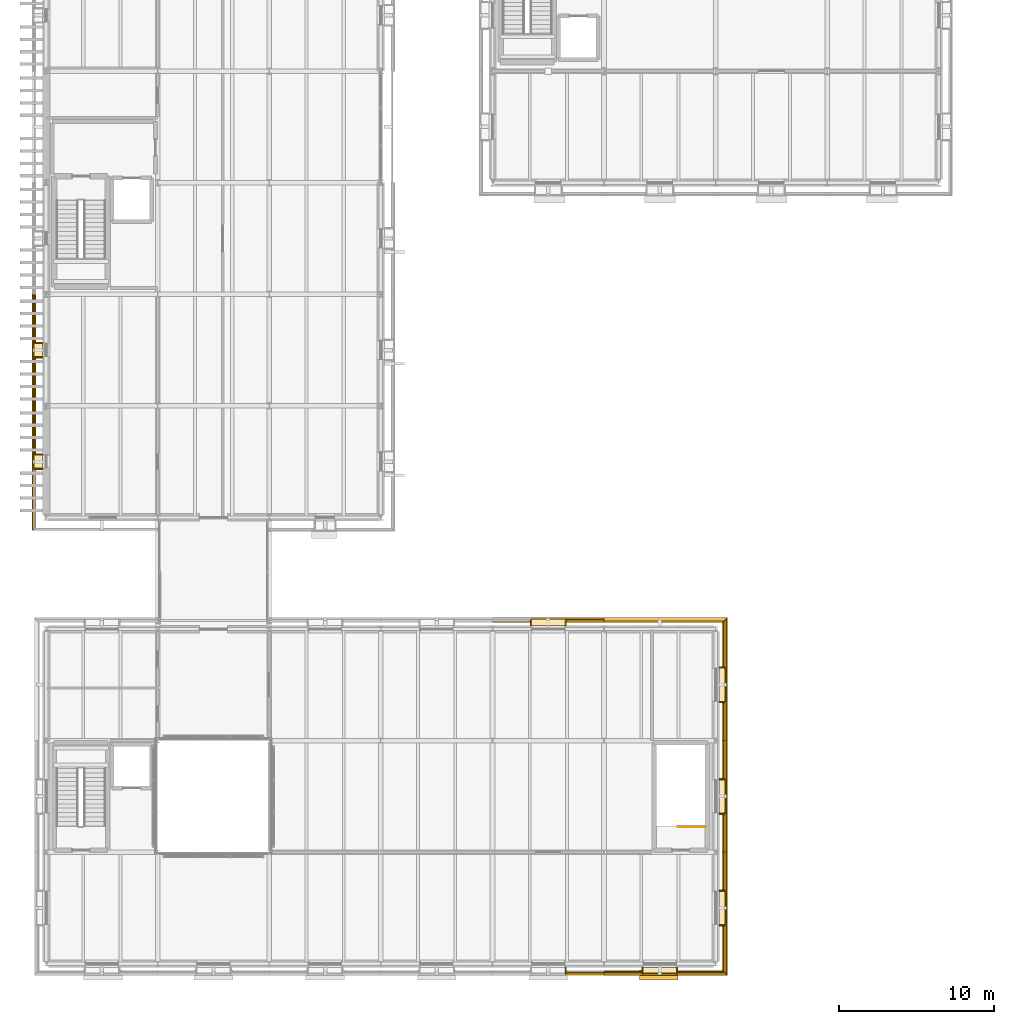
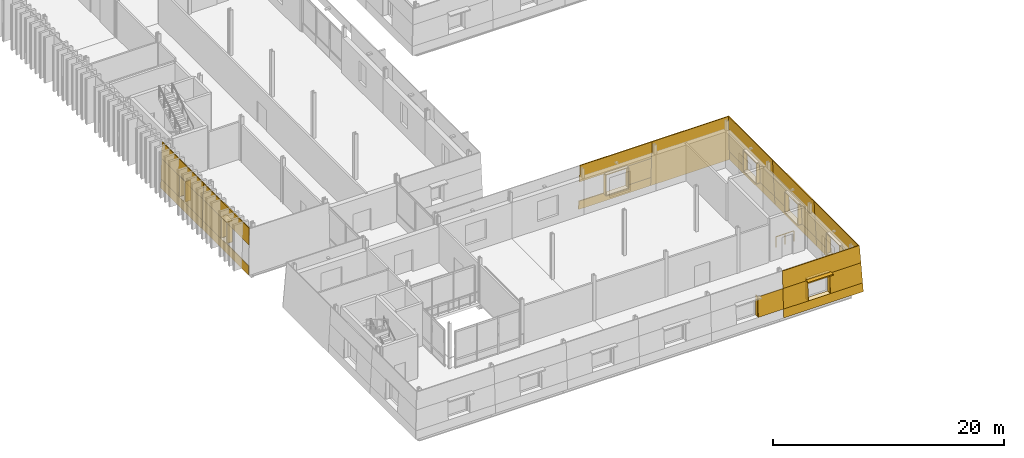
# One storey, part 101 of 121: 57 coverings, 1 railing, 1 shading device.
"""IFC4 building model written with IfcOpenShell, lengths in metres."""

from ifc_helpers import new_model, si_unit, direction, frame, origin, origin_2d, place, context, subcontext, project, spatial, polyline, rectangle, circle, outline, extrude, material, layer, layer_set, type_object, element, save


model = new_model("IFC4")

# Units and contexts
model_context = context("Model", 3, precision=1e-05, world=origin(), true_north=direction((0.0, 1.0)))
body_context = subcontext(model_context, "Body", "Model", "MODEL_VIEW")
ifc_project = project(units=[si_unit("LENGTHUNIT", "METRE"), si_unit("AREAUNIT", "SQUARE_METRE"), si_unit("VOLUMEUNIT", "CUBIC_METRE"), si_unit("PLANEANGLEUNIT", "RADIAN"), si_unit("MASSUNIT", "GRAM", prefix="KILO")], contexts=[model_context])

# Site, building, storey
site_placement = place(None, origin())
site = spatial("IfcSite", under=ifc_project, at=site_placement, CompositionType="ELEMENT")
building_placement = place(site_placement, origin())
building = spatial("IfcBuilding", under=site, at=building_placement, Name="Narikvali Park Central Library", CompositionType="ELEMENT")
storey_placement = place(building_placement, frame((0.0, 0.0, 5.39990234375)))
storey = spatial("IfcBuildingStorey", under=building, at=storey_placement, Name="L01", CompositionType="ELEMENT", Elevation=5.39990234375)

# Coverings
ifc_material_1 = material(Name="White Honed Limestone Cladding", Category="masonry")
ifc_layer_1 = layer(ifc_material_1, 0.0849609375, Name="White Honed Limestone Cladding")
ifc_layer_set_1 = layer_set([ifc_layer_1], Name="White Honed Limestone Cladding")
covering_type_1 = type_object("IfcCoveringType", Name="Battered White Limestone Facade Cladding Panel", PredefinedType="CLADDING", material=ifc_layer_set_1)
covering_1_placement = place(storey_placement, frame((33.489990234375, -0.711669921875, 0.900146484375), z_axis=(0.0, -0.998646227972, 0.052016452753), x_axis=(1.0, 0.0, 0.0)))
element("IfcCovering", 1, at=covering_1_placement, inside=storey, type_object=covering_type_1, Name="V2 L01 S Battered Limestone Jamb Pier R B05", PredefinedType="CLADDING", context=body_context, shape_type="SweptSolid", body=[
    extrude(outline(polyline([(0.0, 0.0), (2.510009765625, 0.0), (2.510009765625, 2.102700092192815), (0.0, 2.102700092192815), (0.0, 0.0)])), origin(), (0.0, 0.0, -1.0), 0.0849609375),
])
covering_2_placement = place(storey_placement, frame((36.0, -0.758544921875, 0.0), z_axis=(0.0, -0.998646856064, 0.05200439283), x_axis=(1.0, 0.0, 0.0)))
element("IfcCovering", 2, at=covering_2_placement, inside=storey, type_object=covering_type_1, Name="V2 L01 S Battered Limestone Spandrel B06", PredefinedType="CLADDING", context=body_context, shape_type="SweptSolid", body=[
    extrude(outline(polyline([(0.0, 0.0), (7.95849609375, 0.0), (7.91162109375, 0.9013661625320046), (0.0, 0.9013661625320046), (0.0, 0.0)])), origin(), (0.0, 0.0, -1.0), 0.0849609375),
])
covering_3_placement = place(storey_placement, frame((36.0, -0.602294921875, 3.0), z_axis=(0.0, -0.998639445418, 0.052146505695), x_axis=(1.0, 0.0, 0.0)))
element("IfcCovering", 3, at=covering_3_placement, inside=storey, type_object=covering_type_1, Name="V2 L01 S Battered Limestone Lintel B06", PredefinedType="CLADDING", context=body_context, shape_type="SweptSolid", body=[
    extrude(outline(polyline([(0.0, 0.0), (7.80224609375, 0.0), (7.70849609375, 1.8025012294325957), (0.0, 1.8025012294325957), (0.0, 0.0)])), origin(), (0.0, 0.0, -1.0), 0.0849609375),
])
covering_4_placement = place(storey_placement, frame((36.0, -0.711669921875, 0.900146484375), z_axis=(0.0, -0.998646227972, 0.052016452753), x_axis=(1.0, 0.0, 0.0)))
element("IfcCovering", 4, at=covering_4_placement, inside=storey, type_object=covering_type_1, Name="V2 L01 S Battered Limestone Jamb Pier L B06", PredefinedType="CLADDING", context=body_context, shape_type="SweptSolid", body=[
    extrude(outline(polyline([(0.0, 0.0), (2.510009765625, 0.0), (2.510009765625, 2.102700092192815), (0.0, 2.102700092192815), (0.0, 0.0)])), origin(), (0.0, 0.0, -1.0), 0.0849609375),
])
covering_5_placement = place(storey_placement, frame((40.68994140625, -0.711669921875, 0.900146484375), z_axis=(0.0, -0.998646227972, 0.052016452753), x_axis=(1.0, 0.0, 0.0)))
element("IfcCovering", 5, at=covering_5_placement, inside=storey, type_object=covering_type_1, Name="V2 L01 S Battered Limestone Jamb Pier R B06", PredefinedType="CLADDING", context=body_context, shape_type="SweptSolid", body=[
    extrude(outline(polyline([(0.0, 0.0), (3.2216796875, 0.0), (3.1123046875, 2.1027000921928147), (0.0, 2.1027000921928147), (0.0, 0.0)])), origin(), (0.0, 0.0, -1.0), 0.0849609375),
])
covering_6_placement = place(storey_placement, frame((43.95849609375, -0.673583984375, 0.0), z_axis=(0.998646856064, 0.0, 0.05200439283), x_axis=(0.0, 1.0, 0.0)))
element("IfcCovering", 6, at=covering_6_placement, inside=storey, type_object=covering_type_1, Name="V2 L01 E Battered Limestone Spandrel B01", PredefinedType="CLADDING", context=body_context, shape_type="SweptSolid", body=[
    extrude(outline(polyline([(0.0, 0.0), (7.87353515625, 0.0), (7.87353515625, 0.9013661625320045), (0.046875, 0.9013661625320045), (0.0, 0.0)])), origin(), (0.0, 0.0, -1.0), 0.0849609375),
])
covering_7_placement = place(storey_placement, frame((43.80224609375, -0.51708984375, 3.0), z_axis=(0.99864648973, 0.0, 0.052011427107), x_axis=(0.0, 1.0, 0.0)))
element("IfcCovering", 7, at=covering_7_placement, inside=storey, type_object=covering_type_1, Name="V2 L01 E Battered Limestone Lintel B01", PredefinedType="CLADDING", context=body_context, shape_type="SweptSolid", body=[
    extrude(outline(polyline([(0.0, 0.0), (7.717041015625, 0.0), (7.717041015625, 1.802488514841131), (0.09375, 1.802488514841131), (0.0, 0.0)])), origin(), (0.0, 0.0, -1.0), 0.0849609375),
])
covering_8_placement = place(storey_placement, frame((43.91162109375, -0.626708984375, 0.900146484375), z_axis=(0.998646227972, 0.0, 0.052016452753), x_axis=(0.0, 1.0, 0.0)))
element("IfcCovering", 8, at=covering_8_placement, inside=storey, type_object=covering_type_1, Name="V2 L01 E Battered Limestone Jamb Pier L B01", PredefinedType="CLADDING", context=body_context, shape_type="SweptSolid", body=[
    extrude(outline(polyline([(0.0, 0.0), (3.13671875, 0.0), (3.13671875, 2.102700092192815), (0.109619140625, 2.102700092192815), (0.0, 0.0)])), origin(), (0.0, 0.0, -1.0), 0.0849609375),
])
covering_9_placement = place(storey_placement, frame((43.91162109375, 4.68994140625, 0.900146484375), z_axis=(0.998646227972, 0.0, 0.052016452753), x_axis=(0.0, 1.0, 0.0)))
element("IfcCovering", 9, at=covering_9_placement, inside=storey, type_object=covering_type_1, Name="V2 L01 E Battered Limestone Jamb Pier R B01", PredefinedType="CLADDING", context=body_context, shape_type="SweptSolid", body=[
    extrude(outline(polyline([(0.0, 0.0), (2.510009765625, 0.0), (2.510009765625, 2.102700092192815), (0.0, 2.102700092192815), (0.0, 0.0)])), origin(), (0.0, 0.0, -1.0), 0.0849609375),
])
covering_10_placement = place(storey_placement, frame((43.95849609375, 7.199951171875, 0.0), z_axis=(0.998646856064, 0.0, 0.05200439283), x_axis=(0.0, 1.0, 0.0)))
element("IfcCovering", 10, at=covering_10_placement, inside=storey, type_object=covering_type_1, Name="V2 L01 E Battered Limestone Spandrel B02", PredefinedType="CLADDING", context=body_context, shape_type="SweptSolid", body=[
    extrude(outline(polyline([(0.0, 0.0), (7.199951171875, 0.0), (7.199951171875, 0.9013661625320046), (0.0, 0.9013661625320046), (0.0, 0.0)])), origin(), (0.0, 0.0, -1.0), 0.0849609375),
])
covering_11_placement = place(storey_placement, frame((43.80224609375, 7.199951171875, 3.0), z_axis=(0.99864648973, 0.0, 0.052011427107), x_axis=(0.0, 1.0, 0.0)))
element("IfcCovering", 11, at=covering_11_placement, inside=storey, type_object=covering_type_1, Name="V2 L01 E Battered Limestone Lintel B02", PredefinedType="CLADDING", context=body_context, shape_type="SweptSolid", body=[
    extrude(outline(polyline([(0.0, 0.0), (7.199951171875, 0.0), (7.199951171875, 1.802488514841131), (0.0, 1.802488514841131), (0.0, 0.0)])), origin(), (0.0, 0.0, -1.0), 0.0849609375),
])
for number, where, z_axis, x_axis, name in (
    (12, (43.91162109375, 7.199951171875, 0.900146484375), (0.998646227972, 0.0, 0.052016452753), (0.0, 1.0, 0.0), "V2 L01 E Battered Limestone Jamb Pier L B02"),
    (13, (43.91162109375, 11.889892578125, 0.900146484375), (0.998646227972, 0.0, 0.052016452753), (0.0, 1.0, 0.0), "V2 L01 E Battered Limestone Jamb Pier R B02"),
):
    element("IfcCovering", number, at=place(storey_placement, frame(where, z_axis=z_axis, x_axis=x_axis)), inside=storey, type_object=covering_type_1, Name=name, PredefinedType="CLADDING", context=body_context, shape_type="SweptSolid", body=[
        extrude(outline(polyline([(0.0, 0.0), (2.510009765625, 0.0), (2.510009765625, 2.102700092192815), (0.0, 2.102700092192815), (0.0, 0.0)])), origin(), (0.0, 0.0, -1.0), 0.0849609375),
    ])
covering_12_placement = place(storey_placement, frame((43.95849609375, 14.39990234375, 0.0), z_axis=(0.998646856064, 0.0, 0.05200439283), x_axis=(0.0, 1.0, 0.0)))
element("IfcCovering", 14, at=covering_12_placement, inside=storey, type_object=covering_type_1, Name="V2 L01 E Battered Limestone Spandrel B03", PredefinedType="CLADDING", context=body_context, shape_type="SweptSolid", body=[
    extrude(outline(polyline([(0.0, 0.0), (7.873779296875, 0.0), (7.826904296875, 0.9013661625320047), (0.0, 0.9013661625320047), (0.0, 0.0)])), origin(), (0.0, 0.0, -1.0), 0.0849609375),
])
covering_13_placement = place(storey_placement, frame((43.80224609375, 14.39990234375, 3.0), z_axis=(0.99864648973, 0.0, 0.052011427107), x_axis=(0.0, 1.0, 0.0)))
element("IfcCovering", 15, at=covering_13_placement, inside=storey, type_object=covering_type_1, Name="V2 L01 E Battered Limestone Lintel B03", PredefinedType="CLADDING", context=body_context, shape_type="SweptSolid", body=[
    extrude(outline(polyline([(0.0, 0.0), (7.71728515625, 0.0), (7.62353515625, 1.8024885148411312), (0.0, 1.8024885148411312), (0.0, 0.0)])), origin(), (0.0, 0.0, -1.0), 0.0849609375),
])
covering_14_placement = place(storey_placement, frame((43.91162109375, 14.39990234375, 0.900146484375), z_axis=(0.998646227972, 0.0, 0.052016452753), x_axis=(0.0, 1.0, 0.0)))
element("IfcCovering", 16, at=covering_14_placement, inside=storey, type_object=covering_type_1, Name="V2 L01 E Battered Limestone Jamb Pier L B03", PredefinedType="CLADDING", context=body_context, shape_type="SweptSolid", body=[
    extrude(outline(polyline([(0.0, 0.0), (2.510009765625, 0.0), (2.510009765625, 2.102700092192815), (0.0, 2.102700092192815), (0.0, 0.0)])), origin(), (0.0, 0.0, -1.0), 0.0849609375),
])
covering_15_placement = place(storey_placement, frame((43.91162109375, 19.090087890625, 0.900146484375), z_axis=(0.998646227972, 0.0, 0.052016452753), x_axis=(0.0, 1.0, 0.0)))
element("IfcCovering", 17, at=covering_15_placement, inside=storey, type_object=covering_type_1, Name="V2 L01 E Battered Limestone Jamb Pier R B03", PredefinedType="CLADDING", context=body_context, shape_type="SweptSolid", body=[
    extrude(outline(polyline([(0.0, 0.0), (3.13671875, 0.0), (3.027099609375, 2.102700092192815), (0.0, 2.102700092192815), (0.0, 0.0)])), origin(), (0.0, 0.0, -1.0), 0.0849609375),
])
covering_16_placement = place(storey_placement, frame((43.95849609375, 22.358642578125, 0.0), z_axis=(0.0, 0.998643804351, 0.052062962182), x_axis=(-1.0, 0.0, 0.0)))
element("IfcCovering", 18, at=covering_16_placement, inside=storey, type_object=covering_type_1, Name="V2 L01 N Battered Limestone Panel B01", PredefinedType="CLADDING", context=body_context, shape_type="SweptSolid", body=[
    extrude(outline(polyline([(0.0, 0.0), (7.95849609375, 0.0), (7.95849609375, 4.80656747401941), (0.25, 4.80656747401941), (0.0, 0.0)])), origin(), (0.0, 0.0, -1.0), 0.0849609375),
])
covering_17_placement = place(storey_placement, frame((36.0, 22.358642578125, 0.0), z_axis=(0.0, 0.998646856064, 0.05200439283), x_axis=(-1.0, 0.0, 0.0)))
element("IfcCovering", 19, at=covering_17_placement, inside=storey, type_object=covering_type_1, Name="V2 L01 N Battered Limestone Spandrel B02", PredefinedType="CLADDING", context=body_context, shape_type="SweptSolid", body=[
    extrude(outline(polyline([(0.0, 0.0), (7.199951171875, 0.0), (7.199951171875, 0.9013661625320046), (0.0, 0.9013661625320046), (0.0, 0.0)])), origin(), (0.0, 0.0, -1.0), 0.0849609375),
])
covering_18_placement = place(storey_placement, frame((36.0, 22.2021484375, 3.0), z_axis=(0.0, 0.99864648973, 0.052011427107), x_axis=(-1.0, 0.0, 0.0)))
element("IfcCovering", 20, at=covering_18_placement, inside=storey, type_object=covering_type_1, Name="V2 L01 N Battered Limestone Lintel B02", PredefinedType="CLADDING", context=body_context, shape_type="SweptSolid", body=[
    extrude(outline(polyline([(0.0, 0.0), (7.199951171875, 0.0), (7.199951171875, 1.802488514841131), (0.0, 1.802488514841131), (0.0, 0.0)])), origin(), (0.0, 0.0, -1.0), 0.0849609375),
])
covering_19_placement = place(storey_placement, frame((36.0, 22.311767578125, 0.900146484375), z_axis=(0.0, 0.998640189937, 0.052132245702), x_axis=(-1.0, 0.0, 0.0)))
element("IfcCovering", 21, at=covering_19_placement, inside=storey, type_object=covering_type_1, Name="V2 L01 N Battered Limestone Jamb Pier L B02", PredefinedType="CLADDING", context=body_context, shape_type="SweptSolid", body=[
    extrude(outline(polyline([(0.0, 0.0), (2.510009765625, 0.0), (2.510009765625, 2.1027128056570246), (0.0, 2.1027128056570246), (0.0, 0.0)])), origin(), (0.0, 0.0, -1.0), 0.0849609375),
])
covering_20_placement = place(storey_placement, frame((-0.88671875, 43.199951171875, 0.0), z_axis=(-0.999600837605, 0.0, 0.028251822234), x_axis=(0.0, -1.0, 0.0)))
element("IfcCovering", 22, at=covering_20_placement, inside=storey, type_object=covering_type_1, Name="V5 L01 W Battered Limestone Spandrel B10", PredefinedType="CLADDING", context=body_context, shape_type="SweptSolid", body=[
    extrude(outline(polyline([(0.0, 0.0), (7.199951171875, 0.0), (7.199951171875, 0.9505747461924048), (0.0, 0.9505747461924048), (0.0, 0.0)])), origin(), (0.0, 0.0, -1.0), 0.0849609375),
])
covering_21_placement = place(storey_placement, frame((-0.798828125, 43.199951171875, 3.10009765625), z_axis=(-0.99959594144, 0.0, 0.02842452914), x_axis=(0.0, -1.0, 0.0)))
element("IfcCovering", 23, at=covering_21_placement, inside=storey, type_object=covering_type_1, Name="V5 L01 W Battered Limestone Lintel B10", PredefinedType="CLADDING", context=body_context, shape_type="SweptSolid", body=[
    extrude(outline(polyline([(0.0, 0.0), (7.199951171875, 0.0), (7.199951171875, 1.7006383293495888), (0.0, 1.7006383293495888), (0.0, 0.0)])), origin(), (0.0, 0.0, -1.0), 0.0849609375),
])
for number, where, z_axis, x_axis, name in (
    (24, (-0.85986328125, 43.199951171875, 0.9501953125), (-0.99959725493, 0.0, 0.028378300447), (0.0, -1.0, 0.0), "V5 L01 W Battered Limestone Jamb Pier L B10"),
    (25, (-0.85986328125, 39.159912109375, 0.9501953125), (-0.99959725493, 0.0, 0.028378300447), (0.0, -1.0, 0.0), "V5 L01 W Battered Limestone Jamb Pier R B10"),
):
    element("IfcCovering", number, at=place(storey_placement, frame(where, z_axis=z_axis, x_axis=x_axis)), inside=storey, type_object=covering_type_1, Name=name, PredefinedType="CLADDING", context=body_context, shape_type="SweptSolid", body=[
        extrude(outline(polyline([(0.0, 0.0), (3.159912109375, 0.0), (3.159912109375, 2.150768555182125), (0.0, 2.150768555182125), (0.0, 0.0)])), origin(), (0.0, 0.0, -1.0), 0.0849609375),
    ])
covering_22_placement = place(storey_placement, frame((-0.88671875, 36.0, 0.0), z_axis=(-0.999600837605, 0.0, 0.028251822234), x_axis=(0.0, -1.0, 0.0)))
element("IfcCovering", 26, at=covering_22_placement, inside=storey, type_object=covering_type_1, Name="V5 L01 W Battered Limestone Spandrel B11", PredefinedType="CLADDING", context=body_context, shape_type="SweptSolid", body=[
    extrude(outline(polyline([(0.0, 0.0), (8.001708984375, 0.0), (7.974853515625, 0.9505747461924048), (0.0, 0.9505747461924048), (0.0, 0.0)])), origin(), (0.0, 0.0, -1.0), 0.0849609375),
])
covering_23_placement = place(storey_placement, frame((-0.798828125, 36.0, 3.10009765625), z_axis=(-0.99959594144, 0.0, 0.02842452914), x_axis=(0.0, -1.0, 0.0)))
element("IfcCovering", 27, at=covering_23_placement, inside=storey, type_object=covering_type_1, Name="V5 L01 W Battered Limestone Lintel B11", PredefinedType="CLADDING", context=body_context, shape_type="SweptSolid", body=[
    extrude(outline(polyline([(0.0, 0.0), (7.913818359375, 0.0), (7.865478515625, 1.7006383293495886), (0.0, 1.7006383293495886), (0.0, 0.0)])), origin(), (0.0, 0.0, -1.0), 0.0849609375),
])
covering_24_placement = place(storey_placement, frame((-0.85986328125, 36.0, 0.9501953125), z_axis=(-0.99959725493, 0.0, 0.028378300447), x_axis=(0.0, -1.0, 0.0)))
element("IfcCovering", 28, at=covering_24_placement, inside=storey, type_object=covering_type_1, Name="V5 L01 W Battered Limestone Jamb Pier L B11", PredefinedType="CLADDING", context=body_context, shape_type="SweptSolid", body=[
    extrude(outline(polyline([(0.0, 0.0), (3.159912109375, 0.0), (3.159912109375, 2.150768555182125), (0.0, 2.150768555182125), (0.0, 0.0)])), origin(), (0.0, 0.0, -1.0), 0.0849609375),
])

# Shading device
ifc_material_2 = material(Name="Anodised Bronze Aluminium", Category="aluminium")
ifc_layer_2 = layer(ifc_material_2, 0.1201171875, Name="Anodised Bronze Aluminium")
ifc_layer_set_2 = layer_set([ifc_layer_2], Name="Anodised Bronze Aluminium")
shading_device_type = type_object("IfcShadingDeviceType", Name="Bronze Classical Cornice Sun Brise-Soleil 650", PredefinedType="SHUTTER", material=ifc_layer_set_2)
shading_device_placement = place(storey_placement, frame((39.528076171875, -0.719970703125, 3.0), z_axis=(0.0, 0.0, 1.0), x_axis=(1.0, 0.0, 0.0)))
element("IfcShadingDevice", 29, at=shading_device_placement, inside=storey, type_object=shading_device_type, Name="V2 L01 Classical Bronze Brise-Soleil 06", PredefinedType="SHUTTER", context=body_context, shape_type="SweptSolid", body=[
    extrude(rectangle(XDim=2.5, YDim=0.64990234375, at=origin_2d()), origin(), (0.0, 0.0, 1.0), 0.1201171875),
])

# Coverings
ifc_layer_3 = layer(ifc_material_1, 0.080078125, Name="White Honed Limestone Cladding")
ifc_layer_set_3 = layer_set([ifc_layer_3], Name="White Honed Limestone Cladding")
covering_type_2 = type_object("IfcCoveringType", Name="Deep Carved White Limestone Window Reveal", PredefinedType="CLADDING", material=ifc_layer_set_3)
covering_25_placement = place(storey_placement, frame((0.0, 0.0, 0.900146484375)))
element("IfcCovering", 30, at=covering_25_placement, inside=storey, type_object=covering_type_2, Name="Deep Stone Reveal Jamb R V2-RVL-L01-S-B05", PredefinedType="CLADDING", context=body_context, shape_type="SweptSolid", body=[
    extrude(outline(polyline([(33.489990234375, -0.22509765625), (33.570068359375, -0.22509765625), (33.570068359375, -0.602294921875), (33.489990234375, -0.602294921875), (33.489990234375, -0.22509765625)])), origin(), (0.0, 0.0, 1.0), 2.099853515625),
])
covering_26_placement = place(storey_placement, frame((0.0, 0.0, 3.0)))
element("IfcCovering", 31, at=covering_26_placement, inside=storey, type_object=covering_type_2, Name="Deep Stone Reveal Head V2-RVL-L01-S-B06", PredefinedType="CLADDING", context=body_context, shape_type="SweptSolid", body=[
    extrude(outline(polyline([(38.469970703125, -0.22509765625), (40.72998046875, -0.22509765625), (40.72998046875, -0.602294921875), (38.469970703125, -0.602294921875), (38.469970703125, -0.22509765625)])), origin(), (0.0, 0.0, 1.0), 0.080078125),
])
covering_27_placement = place(storey_placement, frame((0.0, 0.0, 0.820068359375)))
element("IfcCovering", 32, at=covering_27_placement, inside=storey, type_object=covering_type_2, Name="Deep Stone Reveal Sill V2-RVL-L01-S-B06", PredefinedType="CLADDING", context=body_context, shape_type="SweptSolid", body=[
    extrude(outline(polyline([(38.469970703125, -0.22509765625), (40.72998046875, -0.22509765625), (40.72998046875, -0.711669921875), (38.469970703125, -0.711669921875), (38.469970703125, -0.22509765625)])), origin(), (0.0, 0.0, 1.0), 0.080078125),
])
covering_28_placement = place(storey_placement, frame((0.0, 0.0, 0.900146484375)))
element("IfcCovering", 33, at=covering_28_placement, inside=storey, type_object=covering_type_2, Name="Deep Stone Reveal Jamb L V2-RVL-L01-S-B06", PredefinedType="CLADDING", context=body_context, shape_type="SweptSolid", body=[
    extrude(outline(polyline([(38.429931640625, -0.22509765625), (38.510009765625, -0.22509765625), (38.510009765625, -0.602294921875), (38.429931640625, -0.602294921875), (38.429931640625, -0.22509765625)])), origin(), (0.0, 0.0, 1.0), 2.099853515625),
])
covering_29_placement = place(storey_placement, frame((0.0, 0.0, 0.900146484375)))
element("IfcCovering", 34, at=covering_29_placement, inside=storey, type_object=covering_type_2, Name="Deep Stone Reveal Jamb R V2-RVL-L01-S-B06", PredefinedType="CLADDING", context=body_context, shape_type="SweptSolid", body=[
    extrude(outline(polyline([(40.68994140625, -0.22509765625), (40.77001953125, -0.22509765625), (40.77001953125, -0.602294921875), (40.68994140625, -0.602294921875), (40.68994140625, -0.22509765625)])), origin(), (0.0, 0.0, 1.0), 2.099853515625),
])
covering_30_placement = place(storey_placement, frame((0.0, 0.0, 3.0)))
element("IfcCovering", 35, at=covering_30_placement, inside=storey, type_object=covering_type_2, Name="Deep Stone Reveal Head V2-RVL-L01-E-B01", PredefinedType="CLADDING", context=body_context, shape_type="SweptSolid", body=[
    extrude(outline(polyline([(43.425048828125, 2.469970703125), (43.425048828125, 4.72998046875), (43.80224609375, 4.72998046875), (43.80224609375, 2.469970703125), (43.425048828125, 2.469970703125)])), origin(), (0.0, 0.0, 1.0), 0.080078125),
])
covering_31_placement = place(storey_placement, frame((0.0, 0.0, 0.820068359375)))
element("IfcCovering", 36, at=covering_31_placement, inside=storey, type_object=covering_type_2, Name="Deep Stone Reveal Sill V2-RVL-L01-E-B01", PredefinedType="CLADDING", context=body_context, shape_type="SweptSolid", body=[
    extrude(outline(polyline([(43.425048828125, 2.469970703125), (43.425048828125, 4.72998046875), (43.91162109375, 4.72998046875), (43.91162109375, 2.469970703125), (43.425048828125, 2.469970703125)])), origin(), (0.0, 0.0, 1.0), 0.080078125),
])
covering_32_placement = place(storey_placement, frame((0.0, 0.0, 0.900146484375)))
element("IfcCovering", 37, at=covering_32_placement, inside=storey, type_object=covering_type_2, Name="Deep Stone Reveal Jamb L V2-RVL-L01-E-B01", PredefinedType="CLADDING", context=body_context, shape_type="SweptSolid", body=[
    extrude(outline(polyline([(43.425048828125, 2.429931640625), (43.425048828125, 2.510009765625), (43.80224609375, 2.510009765625), (43.80224609375, 2.429931640625), (43.425048828125, 2.429931640625)])), origin(), (0.0, 0.0, 1.0), 2.099853515625),
])
covering_33_placement = place(storey_placement, frame((0.0, 0.0, 0.900146484375)))
element("IfcCovering", 38, at=covering_33_placement, inside=storey, type_object=covering_type_2, Name="Deep Stone Reveal Jamb R V2-RVL-L01-E-B01", PredefinedType="CLADDING", context=body_context, shape_type="SweptSolid", body=[
    extrude(outline(polyline([(43.425048828125, 4.68994140625), (43.425048828125, 4.77001953125), (43.80224609375, 4.77001953125), (43.80224609375, 4.68994140625), (43.425048828125, 4.68994140625)])), origin(), (0.0, 0.0, 1.0), 2.099853515625),
])
covering_34_placement = place(storey_placement, frame((0.0, 0.0, 3.0)))
element("IfcCovering", 39, at=covering_34_placement, inside=storey, type_object=covering_type_2, Name="Deep Stone Reveal Head V2-RVL-L01-E-B02", PredefinedType="CLADDING", context=body_context, shape_type="SweptSolid", body=[
    extrude(outline(polyline([(43.425048828125, 9.669921875), (43.425048828125, 11.929931640625), (43.80224609375, 11.929931640625), (43.80224609375, 9.669921875), (43.425048828125, 9.669921875)])), origin(), (0.0, 0.0, 1.0), 0.080078125),
])
covering_35_placement = place(storey_placement, frame((0.0, 0.0, 0.820068359375)))
element("IfcCovering", 40, at=covering_35_placement, inside=storey, type_object=covering_type_2, Name="Deep Stone Reveal Sill V2-RVL-L01-E-B02", PredefinedType="CLADDING", context=body_context, shape_type="SweptSolid", body=[
    extrude(outline(polyline([(43.425048828125, 9.669921875), (43.425048828125, 11.929931640625), (43.91162109375, 11.929931640625), (43.91162109375, 9.669921875), (43.425048828125, 9.669921875)])), origin(), (0.0, 0.0, 1.0), 0.080078125),
])
covering_36_placement = place(storey_placement, frame((0.0, 0.0, 0.900146484375)))
element("IfcCovering", 41, at=covering_36_placement, inside=storey, type_object=covering_type_2, Name="Deep Stone Reveal Jamb L V2-RVL-L01-E-B02", PredefinedType="CLADDING", context=body_context, shape_type="SweptSolid", body=[
    extrude(outline(polyline([(43.425048828125, 9.6298828125), (43.425048828125, 9.7099609375), (43.80224609375, 9.7099609375), (43.80224609375, 9.6298828125), (43.425048828125, 9.6298828125)])), origin(), (0.0, 0.0, 1.0), 2.099853515625),
])
covering_37_placement = place(storey_placement, frame((0.0, 0.0, 0.900146484375)))
element("IfcCovering", 42, at=covering_37_placement, inside=storey, type_object=covering_type_2, Name="Deep Stone Reveal Jamb R V2-RVL-L01-E-B02", PredefinedType="CLADDING", context=body_context, shape_type="SweptSolid", body=[
    extrude(outline(polyline([(43.425048828125, 11.889892578125), (43.425048828125, 11.969970703125), (43.80224609375, 11.969970703125), (43.80224609375, 11.889892578125), (43.425048828125, 11.889892578125)])), origin(), (0.0, 0.0, 1.0), 2.099853515625),
])
covering_38_placement = place(storey_placement, frame((0.0, 0.0, 3.0)))
element("IfcCovering", 43, at=covering_38_placement, inside=storey, type_object=covering_type_2, Name="Deep Stone Reveal Head V2-RVL-L01-E-B03", PredefinedType="CLADDING", context=body_context, shape_type="SweptSolid", body=[
    extrude(outline(polyline([(43.425048828125, 16.8701171875), (43.425048828125, 19.1298828125), (43.80224609375, 19.1298828125), (43.80224609375, 16.8701171875), (43.425048828125, 16.8701171875)])), origin(), (0.0, 0.0, 1.0), 0.080078125),
])
covering_39_placement = place(storey_placement, frame((0.0, 0.0, 0.820068359375)))
element("IfcCovering", 44, at=covering_39_placement, inside=storey, type_object=covering_type_2, Name="Deep Stone Reveal Sill V2-RVL-L01-E-B03", PredefinedType="CLADDING", context=body_context, shape_type="SweptSolid", body=[
    extrude(outline(polyline([(43.425048828125, 16.8701171875), (43.425048828125, 19.1298828125), (43.91162109375, 19.1298828125), (43.91162109375, 16.8701171875), (43.425048828125, 16.8701171875)])), origin(), (0.0, 0.0, 1.0), 0.080078125),
])
covering_40_placement = place(storey_placement, frame((0.0, 0.0, 0.900146484375)))
element("IfcCovering", 45, at=covering_40_placement, inside=storey, type_object=covering_type_2, Name="Deep Stone Reveal Jamb L V2-RVL-L01-E-B03", PredefinedType="CLADDING", context=body_context, shape_type="SweptSolid", body=[
    extrude(outline(polyline([(43.425048828125, 16.830078125), (43.425048828125, 16.909912109375), (43.80224609375, 16.909912109375), (43.80224609375, 16.830078125), (43.425048828125, 16.830078125)])), origin(), (0.0, 0.0, 1.0), 2.099853515625),
])
covering_41_placement = place(storey_placement, frame((0.0, 0.0, 0.900146484375)))
element("IfcCovering", 46, at=covering_41_placement, inside=storey, type_object=covering_type_2, Name="Deep Stone Reveal Jamb R V2-RVL-L01-E-B03", PredefinedType="CLADDING", context=body_context, shape_type="SweptSolid", body=[
    extrude(outline(polyline([(43.425048828125, 19.090087890625), (43.425048828125, 19.169921875), (43.80224609375, 19.169921875), (43.80224609375, 19.090087890625), (43.425048828125, 19.090087890625)])), origin(), (0.0, 0.0, 1.0), 2.099853515625),
])
covering_42_placement = place(storey_placement, frame((0.0, 0.0, 3.0)))
element("IfcCovering", 47, at=covering_42_placement, inside=storey, type_object=covering_type_2, Name="Deep Stone Reveal Head V2-RVL-L01-N-B02", PredefinedType="CLADDING", context=body_context, shape_type="SweptSolid", body=[
    extrude(outline(polyline([(33.530029296875, 21.824951171875), (31.27001953125, 21.824951171875), (31.27001953125, 22.2021484375), (33.530029296875, 22.2021484375), (33.530029296875, 21.824951171875)])), origin(), (0.0, 0.0, 1.0), 0.080078125),
])
covering_43_placement = place(storey_placement, frame((0.0, 0.0, 0.820068359375)))
element("IfcCovering", 48, at=covering_43_placement, inside=storey, type_object=covering_type_2, Name="Deep Stone Reveal Sill V2-RVL-L01-N-B02", PredefinedType="CLADDING", context=body_context, shape_type="SweptSolid", body=[
    extrude(outline(polyline([(33.530029296875, 21.824951171875), (31.27001953125, 21.824951171875), (31.27001953125, 22.311767578125), (33.530029296875, 22.311767578125), (33.530029296875, 21.824951171875)])), origin(), (0.0, 0.0, 1.0), 0.080078125),
])
covering_44_placement = place(storey_placement, frame((0.0, 0.0, 0.900146484375)))
element("IfcCovering", 49, at=covering_44_placement, inside=storey, type_object=covering_type_2, Name="Deep Stone Reveal Jamb L V2-RVL-L01-N-B02", PredefinedType="CLADDING", context=body_context, shape_type="SweptSolid", body=[
    extrude(outline(polyline([(33.570068359375, 21.824951171875), (33.489990234375, 21.824951171875), (33.489990234375, 22.2021484375), (33.570068359375, 22.2021484375), (33.570068359375, 21.824951171875)])), origin(), (0.0, 0.0, 1.0), 2.099853515625),
])
covering_45_placement = place(storey_placement, frame((0.0, 0.0, 0.900146484375)))
element("IfcCovering", 50, at=covering_45_placement, inside=storey, type_object=covering_type_2, Name="Deep Stone Reveal Jamb R V2-RVL-L01-N-B02", PredefinedType="CLADDING", context=body_context, shape_type="SweptSolid", body=[
    extrude(outline(polyline([(31.31005859375, 21.824951171875), (31.22998046875, 21.824951171875), (31.22998046875, 22.2021484375), (31.31005859375, 22.2021484375), (31.31005859375, 21.824951171875)])), origin(), (0.0, 0.0, 1.0), 2.099853515625),
])
covering_46_placement = place(storey_placement, frame((0.0, 0.0, 3.10009765625)))
element("IfcCovering", 51, at=covering_46_placement, inside=storey, type_object=covering_type_2, Name="Deep Stone Reveal Head V5-RVL-L01-W-B10", PredefinedType="CLADDING", context=body_context, shape_type="SweptSolid", body=[
    extrude(outline(polyline([(-0.22509765625, 40.080078125), (-0.22509765625, 39.1201171875), (-0.798828125, 39.1201171875), (-0.798828125, 40.080078125), (-0.22509765625, 40.080078125)])), origin(), (0.0, 0.0, 1.0), 0.080078125),
])
covering_47_placement = place(storey_placement, frame((0.0, 0.0, 0.8701171875)))
element("IfcCovering", 52, at=covering_47_placement, inside=storey, type_object=covering_type_2, Name="Deep Stone Reveal Sill V5-RVL-L01-W-B10", PredefinedType="CLADDING", context=body_context, shape_type="SweptSolid", body=[
    extrude(outline(polyline([(-0.22509765625, 40.080078125), (-0.22509765625, 39.1201171875), (-0.85986328125, 39.1201171875), (-0.85986328125, 40.080078125), (-0.22509765625, 40.080078125)])), origin(), (0.0, 0.0, 1.0), 0.080078125),
])
covering_48_placement = place(storey_placement, frame((0.0, 0.0, 0.9501953125)))
element("IfcCovering", 53, at=covering_48_placement, inside=storey, type_object=covering_type_2, Name="Deep Stone Reveal Jamb L V5-RVL-L01-W-B10", PredefinedType="CLADDING", context=body_context, shape_type="SweptSolid", body=[
    extrude(outline(polyline([(-0.22509765625, 40.1201171875), (-0.22509765625, 40.0400390625), (-0.798828125, 40.0400390625), (-0.798828125, 40.1201171875), (-0.22509765625, 40.1201171875)])), origin(), (0.0, 0.0, 1.0), 2.14990234375),
])
covering_49_placement = place(storey_placement, frame((0.0, 0.0, 0.9501953125)))
element("IfcCovering", 54, at=covering_49_placement, inside=storey, type_object=covering_type_2, Name="Deep Stone Reveal Jamb R V5-RVL-L01-W-B10", PredefinedType="CLADDING", context=body_context, shape_type="SweptSolid", body=[
    extrude(outline(polyline([(-0.22509765625, 39.159912109375), (-0.22509765625, 39.080078125), (-0.798828125, 39.080078125), (-0.798828125, 39.159912109375), (-0.22509765625, 39.159912109375)])), origin(), (0.0, 0.0, 1.0), 2.14990234375),
])
covering_50_placement = place(storey_placement, frame((0.0, 0.0, 3.10009765625)))
element("IfcCovering", 55, at=covering_50_placement, inside=storey, type_object=covering_type_2, Name="Deep Stone Reveal Head V5-RVL-L01-W-B11", PredefinedType="CLADDING", context=body_context, shape_type="SweptSolid", body=[
    extrude(outline(polyline([(-0.22509765625, 32.8798828125), (-0.22509765625, 31.919921875), (-0.798828125, 31.919921875), (-0.798828125, 32.8798828125), (-0.22509765625, 32.8798828125)])), origin(), (0.0, 0.0, 1.0), 0.080078125),
])
covering_51_placement = place(storey_placement, frame((0.0, 0.0, 0.8701171875)))
element("IfcCovering", 56, at=covering_51_placement, inside=storey, type_object=covering_type_2, Name="Deep Stone Reveal Sill V5-RVL-L01-W-B11", PredefinedType="CLADDING", context=body_context, shape_type="SweptSolid", body=[
    extrude(outline(polyline([(-0.22509765625, 32.8798828125), (-0.22509765625, 31.919921875), (-0.85986328125, 31.919921875), (-0.85986328125, 32.8798828125), (-0.22509765625, 32.8798828125)])), origin(), (0.0, 0.0, 1.0), 0.080078125),
])
covering_52_placement = place(storey_placement, frame((0.0, 0.0, 0.9501953125)))
element("IfcCovering", 57, at=covering_52_placement, inside=storey, type_object=covering_type_2, Name="Deep Stone Reveal Jamb L V5-RVL-L01-W-B11", PredefinedType="CLADDING", context=body_context, shape_type="SweptSolid", body=[
    extrude(outline(polyline([(-0.22509765625, 32.919921875), (-0.22509765625, 32.840087890625), (-0.798828125, 32.840087890625), (-0.798828125, 32.919921875), (-0.22509765625, 32.919921875)])), origin(), (0.0, 0.0, 1.0), 2.14990234375),
])
covering_53_placement = place(storey_placement, frame((0.0, 0.0, 0.9501953125)))
element("IfcCovering", 58, at=covering_53_placement, inside=storey, type_object=covering_type_2, Name="Deep Stone Reveal Jamb R V5-RVL-L01-W-B11", PredefinedType="CLADDING", context=body_context, shape_type="SweptSolid", body=[
    extrude(outline(polyline([(-0.22509765625, 31.9599609375), (-0.22509765625, 31.8798828125), (-0.798828125, 31.8798828125), (-0.798828125, 31.9599609375), (-0.22509765625, 31.9599609375)])), origin(), (0.0, 0.0, 1.0), 2.14990234375),
])

# Railing
ifc_material_3 = material(Name="Powder-Coated Steel S275", Category="steel")
ifc_layer_4 = layer(ifc_material_3, 0.050048828125, Name="Powder-Coated Steel S275")
ifc_layer_set_4 = layer_set([ifc_layer_4], Name="Powder-Coated Steel S275")
railing_type = type_object("IfcRailingType", Name="Stair Well Steel Guardrail 1100", PredefinedType="GUARDRAIL", material=ifc_layer_set_4)
railing_placement = place(storey_placement, frame((42.550048828125, 8.85009765625, 0.0)))
element("IfcRailing", 59, at=railing_placement, inside=storey, type_object=railing_type, Name="L01 ST-04 top well guard 1", PredefinedType="GUARDRAIL", context=body_context, shape_type="SweptSolid", body=[
    extrude(circle(Radius=0.02392578125, at=origin_2d()), frame((0.0, 0.0, 1.076171875), z_axis=(-1.0, 0.0, 0.0), x_axis=(0.0, -1.0, 0.0)), (0.0, 0.0, 1.0), 1.780029296875),
    extrude(circle(Radius=0.02099609375, at=origin_2d()), origin(), (0.0, 0.0, 1.0), 1.052001953125),
    extrude(circle(Radius=0.02099609375, at=origin_2d()), frame((-0.89013671875, 0.0, 0.0)), (0.0, 0.0, 1.0), 1.052001953125),
    extrude(circle(Radius=0.02099609375, at=origin_2d()), frame((-1.780029296875, 0.0, 0.0)), (0.0, 0.0, 1.0), 1.052001953125),
])

save(model, "model.ifc")
